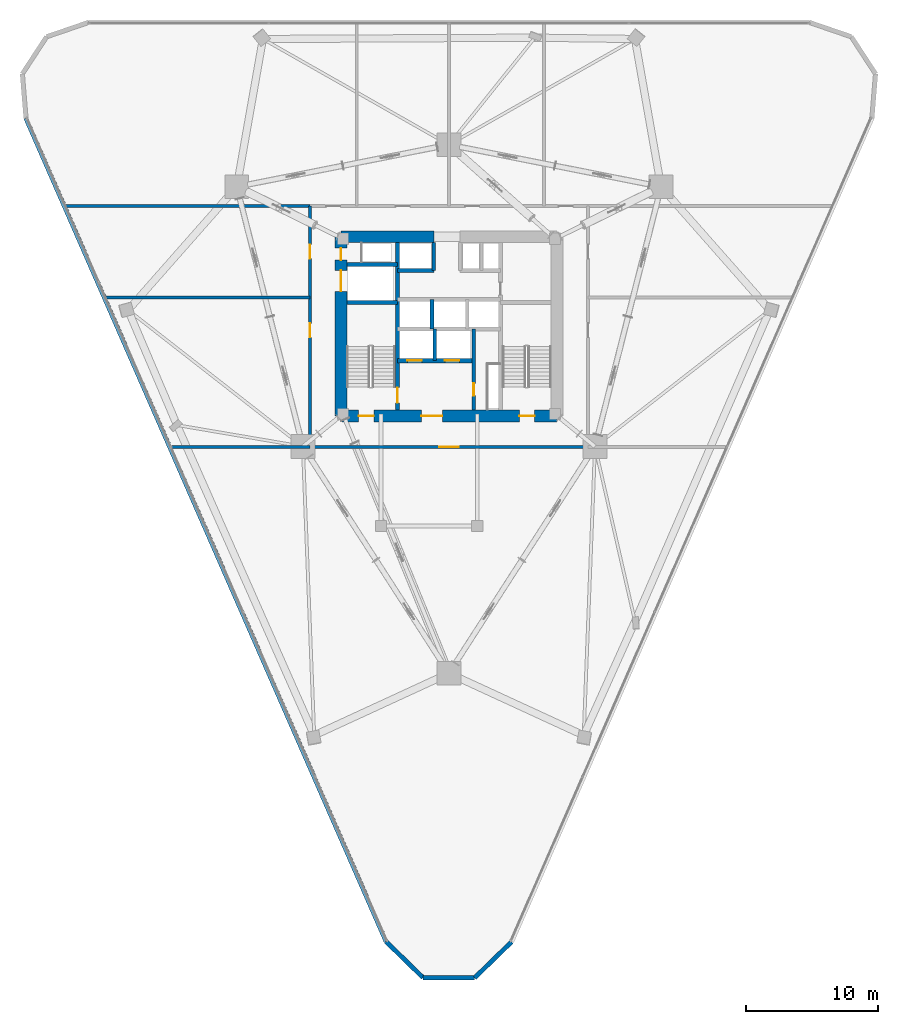
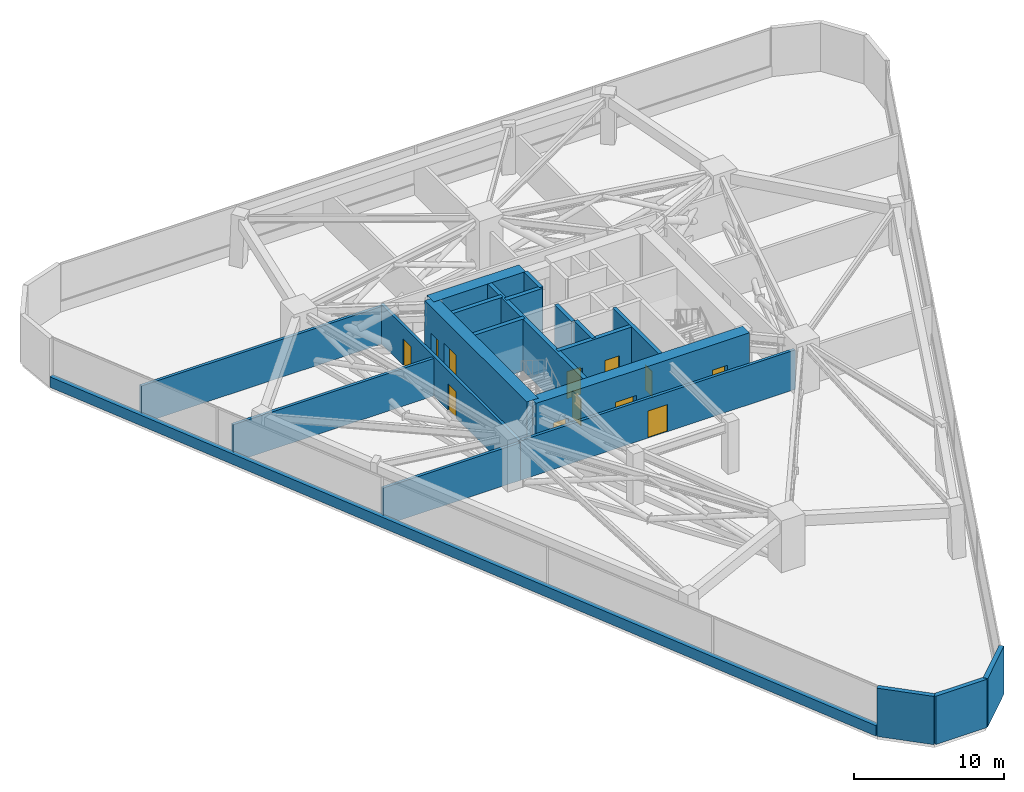
# One storey, part 17 of 20: 21 walls, 12 doors, 12 openings.
"""IFC4 building model written with IfcOpenShell, lengths in metres."""

from ifc_helpers import new_model, si_unit, direction, frame, frame_2d, origin, place, context, subcontext, project, spatial, rectangle, extrude, material, layer, layer_set, type_object, element, fill, save


model = new_model("IFC4")

# Units and contexts
model_context = context("Model", 3, precision=1e-05, world=origin(), true_north=direction((0.0, 1.0)))
body_context = subcontext(model_context, "Body", "Model", "MODEL_VIEW")
ifc_project = project(units=[si_unit("LENGTHUNIT", "METRE"), si_unit("AREAUNIT", "SQUARE_METRE"), si_unit("VOLUMEUNIT", "CUBIC_METRE"), si_unit("PLANEANGLEUNIT", "RADIAN"), si_unit("MASSUNIT", "GRAM", prefix="KILO")], contexts=[model_context])

# Site, building, storey
site_placement = place(None, origin())
site = spatial("IfcSite", under=ifc_project, at=site_placement, CompositionType="ELEMENT")
building_placement = place(site_placement, origin())
building = spatial("IfcBuilding", under=site, at=building_placement, Name="Talyreon Biosciences Tower", CompositionType="ELEMENT")
storey_placement = place(building_placement, frame((0.0, 0.0, 70.800048828125)))
storey = spatial("IfcBuildingStorey", under=building, at=storey_placement, Name="L18", CompositionType="ELEMENT", Elevation=70.800048828125)

# Walls
ifc_material_1 = material(Name="Concrete C50/60", Category="concrete")
ifc_layer_1 = layer(ifc_material_1, 0.280029296875)
ifc_layer_set_1 = layer_set([ifc_layer_1], Name="Concrete C50/60")
wall_type_1 = type_object("IfcWallType", Name="CoreShearWall_280", PredefinedType="SHEAR", material=ifc_layer_set_1)
wall_1_placement = place(storey_placement, frame((64.919921875, 65.39990234375, 0.0), z_axis=(0.0, 0.0, 1.0), x_axis=(0.0, 1.0, 0.0)))
element("IfcWall", 1, at=wall_1_placement, inside=storey, type_object=wall_type_1, Name="L18 Core Shaft Wall SWSHD1", PredefinedType="SHEAR", context=body_context, shape_type="SweptSolid", body=[
    extrude(rectangle(XDim=2.400146484375, YDim=0.280029296875, at=frame_2d((1.2001953125, 0.0))), origin(), (0.0, 0.0, 1.0), 4.199951171875),
])
wall_2_placement = place(storey_placement, frame((64.85009765625, 72.25, 0.0), z_axis=(0.0, 0.0, 1.0), x_axis=(0.0, 1.0, 0.0)))
element("IfcWall", 2, at=wall_2_placement, inside=storey, type_object=wall_type_1, Name="L18 Core Shaft Wall SWTHW", PredefinedType="SHEAR", context=body_context, shape_type="SweptSolid", body=[
    extrude(rectangle(XDim=2.10009765625, YDim=0.280029296875, at=frame_2d((1.050048828125, 0.0))), origin(), (0.0, 0.0, 1.0), 4.199951171875),
])

# Wall, opening, door
wall_3_placement = place(storey_placement, frame((67.8798828125, 61.64990234375, 0.0), z_axis=(0.0, 0.0, 1.0), x_axis=(0.0, 1.0, 0.0)))
wall_3 = element("IfcWall", 3, at=wall_3_placement, inside=storey, type_object=wall_type_1, Name="L18 Core Shaft Wall SWFFE", PredefinedType="SHEAR", context=body_context, shape_type="SweptSolid", body=[
    extrude(rectangle(XDim=6.150146484375, YDim=0.280029296875, at=frame_2d((3.0751953125, 0.0))), origin(), (0.0, 0.0, 1.0), 4.199951171875),
])
opening_1_placement = place(wall_3_placement, frame((1.10009765625, 0.0, 0.0)))
opening_1 = element("IfcOpeningElement", 4, at=opening_1_placement, cuts=wall_3, Name="Opening DR-L18-RSE", PredefinedType="OPENING", context=body_context, shape_type="SweptSolid", body=[
    extrude(rectangle(XDim=0.919921875, YDim=2.050048828125, at=frame_2d((0.4599609375, 1.02490234375))), frame((0.0, 0.14990234375, 0.0), z_axis=(0.0, -1.0, 0.0), x_axis=(1.0, 0.0, 0.0)), (0.0, 0.0, 1.0), 0.300048828125),
])
ifc_material_2 = material(Name="Painted steel fire-rated riser door", Category="steel")
door_type_1 = type_object("IfcDoorType", Name="RiserPlantAccessDoor_920x2050", OperationType="NOTDEFINED", PredefinedType="DOOR", material=ifc_material_2)
door_1_placement = place(opening_1_placement, origin())
door_1 = element("IfcDoor", 5, at=door_1_placement, inside=storey, type_object=door_type_1, Name="L18 Core Door DR-L18-RSE", OperationType="SINGLE_SWING_RIGHT", OverallHeight=2.050048828125, OverallWidth=0.919921875, PredefinedType="DOOR", context=body_context, shape_type="SweptSolid", body=[
    extrude(rectangle(XDim=0.919921875, YDim=2.050048828125, at=frame_2d((0.4599609375, 1.02490234375))), frame((0.0, 0.02490234375, 0.0), z_axis=(0.0, -1.0, 0.0), x_axis=(1.0, 0.0, 0.0)), (0.0, 0.0, 1.0), 0.050048828125),
])
fill(opening_1, door_1)

# Wall
wall_4_placement = place(storey_placement, frame((64.719970703125, 67.800048828125, 0.0), z_axis=(0.0, 0.0, 1.0), x_axis=(0.0, 1.0, 0.0)))
element("IfcWall", 6, at=wall_4_placement, inside=storey, type_object=wall_type_1, Name="L18 Core Shaft Wall SWPLD", PredefinedType="SHEAR", context=body_context, shape_type="SweptSolid", body=[
    extrude(rectangle(XDim=2.25, YDim=0.280029296875, at=frame_2d((1.125, 0.0))), origin(), (0.0, 0.0, 1.0), 4.199951171875),
])

# Wall, opening, door
ifc_layer_2 = layer(ifc_material_1, 0.320068359375)
ifc_layer_set_2 = layer_set([ifc_layer_2], Name="Concrete C50/60")
wall_type_2 = type_object("IfcWallType", Name="CoreShearWall_320", PredefinedType="SHEAR", material=ifc_layer_set_2)
wall_5_placement = place(storey_placement, frame((62.090087890625, 61.64990234375, 0.0), z_axis=(0.0, 0.0, 1.0), x_axis=(0.0, 1.0, 0.0)))
wall_5 = element("IfcWall", 7, at=wall_5_placement, inside=storey, type_object=wall_type_2, Name="L18 Core Shaft Wall SW1E", PredefinedType="SHEAR", context=body_context, shape_type="SweptSolid", body=[
    extrude(rectangle(XDim=12.7001953125, YDim=0.320068359375, at=frame_2d((6.35009765625, 0.0))), origin(), (0.0, 0.0, 1.0), 4.199951171875),
])
opening_2_placement = place(wall_5_placement, frame((0.550048828125, 0.0, 0.0)))
opening_2 = element("IfcOpeningElement", 8, at=opening_2_placement, cuts=wall_5, Name="Opening DR-L18-FF-ST1", PredefinedType="OPENING", context=body_context, shape_type="SweptSolid", body=[
    extrude(rectangle(XDim=1.14990234375, YDim=2.14990234375, at=frame_2d((0.574951171875, 1.074951171875))), frame((0.0, 0.169921875, 0.0), z_axis=(0.0, -1.0, 0.0), x_axis=(1.0, 0.0, 0.0)), (0.0, 0.0, 1.0), 0.340087890625),
])
ifc_material_3 = material(Name="Painted steel fire door", Category="steel")
door_type_2 = type_object("IfcDoorType", Name="StairShaftFireDoor_1150x2150", OperationType="NOTDEFINED", PredefinedType="DOOR", material=ifc_material_3)
door_2_placement = place(opening_2_placement, origin())
door_2 = element("IfcDoor", 9, at=door_2_placement, inside=storey, type_object=door_type_2, Name="L18 Core Door DR-L18-FF-ST1", OperationType="SINGLE_SWING_LEFT", OverallHeight=2.14990234375, OverallWidth=1.14990234375, PredefinedType="DOOR", context=body_context, shape_type="SweptSolid", body=[
    extrude(rectangle(XDim=1.14990234375, YDim=2.14990234375, at=frame_2d((0.574951171875, 1.074951171875))), frame((0.0, 0.02490234375, 0.0), z_axis=(0.0, -1.0, 0.0), x_axis=(1.0, 0.0, 0.0)), (0.0, 0.0, 1.0), 0.050048828125),
])
fill(opening_2, door_2)

# Walls
for number, where, z_axis, x_axis, name in (
    (10, (58.25, 69.81005859375, 0.0), (0.0, 0.0, 1.0), (1.0, 0.0, 0.0), "L18 Core Shaft Wall SW1N"),
    (11, (58.25, 72.699951171875, 0.0), (0.0, 0.0, 1.0), (1.0, 0.0, 0.0), "L18 Core Shaft Wall SWGLN"),
):
    element("IfcWall", number, at=place(storey_placement, frame(where, z_axis=z_axis, x_axis=x_axis)), inside=storey, type_object=wall_type_2, Name=name, PredefinedType="SHEAR", context=body_context, shape_type="SweptSolid", body=[
        extrude(rectangle(XDim=3.840087890625, YDim=0.320068359375, at=frame_2d((1.919921875, 0.0))), origin(), (0.0, 0.0, 1.0), 4.199951171875),
    ])
wall_6_placement = place(storey_placement, frame((62.090087890625, 72.25, 0.0), z_axis=(0.0, 0.0, 1.0), x_axis=(1.0, 0.0, 0.0)))
element("IfcWall", 12, at=wall_6_placement, inside=storey, type_object=wall_type_2, Name="L18 Core Shaft Wall SWNPW", PredefinedType="SHEAR", context=body_context, shape_type="SweptSolid", body=[
    extrude(rectangle(XDim=2.760009765625, YDim=0.320068359375, at=frame_2d((1.3798828125, 0.0))), origin(), (0.0, 0.0, 1.0), 4.199951171875),
])

# Wall, openings, doors
wall_7_placement = place(storey_placement, frame((62.090087890625, 65.39990234375, 0.0), z_axis=(0.0, 0.0, 1.0), x_axis=(1.0, 0.0, 0.0)))
wall_7 = element("IfcWall", 13, at=wall_7_placement, inside=storey, type_object=wall_type_2, Name="L18 Core Shaft Wall SWFFN", PredefinedType="SHEAR", context=body_context, shape_type="SweptSolid", body=[
    extrude(rectangle(XDim=5.789794921875, YDim=0.320068359375, at=frame_2d((2.89501953125, 0.0))), origin(), (0.0, 0.0, 1.0), 4.199951171875),
])
opening_3_placement = place(wall_7_placement, frame((0.75, 0.0, 0.0)))
opening_3 = element("IfcOpeningElement", 14, at=opening_3_placement, cuts=wall_7, Name="Opening LD-L18-FL1", PredefinedType="OPENING", context=body_context, shape_type="SweptSolid", body=[
    extrude(rectangle(XDim=1.10009765625, YDim=2.199951171875, at=frame_2d((0.550048828125, 1.10009765625))), frame((0.0, 0.169921875, 0.0), z_axis=(0.0, -1.0, 0.0), x_axis=(1.0, 0.0, 0.0)), (0.0, 0.0, 1.0), 0.340087890625),
])
opening_4_placement = place(wall_7_placement, frame((3.60009765625, 0.0, 0.0)))
opening_4 = element("IfcOpeningElement", 15, at=opening_4_placement, cuts=wall_7, Name="Opening LD-L18-FL2", PredefinedType="OPENING", context=body_context, shape_type="SweptSolid", body=[
    extrude(rectangle(XDim=1.10009765625, YDim=2.199951171875, at=frame_2d((0.550048828125, 1.10009765625))), frame((0.0, 0.169921875, 0.0), z_axis=(0.0, -1.0, 0.0), x_axis=(1.0, 0.0, 0.0)), (0.0, 0.0, 1.0), 0.340087890625),
])
ifc_material_4 = material(Name="Brushed stainless-steel lift landing door", Category="steel")
door_type_3 = type_object("IfcDoorType", Name="LiftSlidingLandingDoor_1100x2200", OperationType="SLIDING_TO_LEFT", PredefinedType="DOOR", material=ifc_material_4)
door_3_placement = place(opening_3_placement, origin())
door_3 = element("IfcDoor", 16, at=door_3_placement, inside=storey, type_object=door_type_3, Name="L18 Core Door LD-L18-FL1", OperationType="SLIDING_TO_LEFT", OverallHeight=2.199951171875, OverallWidth=1.10009765625, PredefinedType="DOOR", context=body_context, shape_type="SweptSolid", body=[
    extrude(rectangle(XDim=1.10009765625, YDim=2.199951171875, at=frame_2d((0.550048828125, 1.10009765625))), frame((0.0, 0.02490234375, 0.0), z_axis=(0.0, -1.0, 0.0), x_axis=(1.0, 0.0, 0.0)), (0.0, 0.0, 1.0), 0.050048828125),
])
fill(opening_3, door_3)
door_4_placement = place(opening_4_placement, origin())
door_4 = element("IfcDoor", 17, at=door_4_placement, inside=storey, type_object=door_type_3, Name="L18 Core Door LD-L18-FL2", OperationType="SLIDING_TO_LEFT", OverallHeight=2.199951171875, OverallWidth=1.10009765625, PredefinedType="DOOR", context=body_context, shape_type="SweptSolid", body=[
    extrude(rectangle(XDim=1.10009765625, YDim=2.199951171875, at=frame_2d((0.550048828125, 1.10009765625))), frame((0.0, 0.02490234375, 0.0), z_axis=(0.0, -1.0, 0.0), x_axis=(1.0, 0.0, 0.0)), (0.0, 0.0, 1.0), 0.050048828125),
])
fill(opening_4, door_4)

ifc_material_5 = material(Name="Concrete C60/75", Category="concrete")
ifc_layer_3 = layer(ifc_material_5, 0.89990234375)
ifc_layer_set_3 = layer_set([ifc_layer_3], Name="Concrete C60/75")
wall_type_3 = type_object("IfcWallType", Name="CoreShearWall_900", PredefinedType="SHEAR", material=ifc_layer_set_3)
wall_8_placement = place(storey_placement, frame((57.800048828125, 61.199951171875, 0.0), z_axis=(0.0, 0.0, 1.0), x_axis=(1.0, 0.0, 0.0)))
wall_8 = element("IfcWall", 18, at=wall_8_placement, inside=storey, type_object=wall_type_3, Name="L18 Core Shear Wall S", PredefinedType="SHEAR", context=body_context, shape_type="SweptSolid", body=[
    extrude(rectangle(XDim=16.39990234375, YDim=0.89990234375, at=frame_2d((8.199951171875, 0.0))), origin(), (0.0, 0.0, 1.0), 4.199951171875),
])
opening_5_placement = place(wall_8_placement, frame((1.35009765625, 0.0, 0.0)))
opening_5 = element("IfcOpeningElement", 19, at=opening_5_placement, cuts=wall_8, Name="Opening DR-L18-ST1", PredefinedType="OPENING", context=body_context, shape_type="SweptSolid", body=[
    extrude(rectangle(XDim=1.14990234375, YDim=2.14990234375, at=frame_2d((0.574951171875, 1.074951171875))), frame((0.0, 0.4599609375, 0.0), z_axis=(0.0, -1.0, 0.0), x_axis=(1.0, 0.0, 0.0)), (0.0, 0.0, 1.0), 0.919921875),
])
opening_6_placement = place(wall_8_placement, frame((6.10009765625, 0.0, 0.0)))
opening_6 = element("IfcOpeningElement", 20, at=opening_6_placement, cuts=wall_8, Name="Opening DR-L18-FFL", PredefinedType="OPENING", context=body_context, shape_type="SweptSolid", body=[
    extrude(rectangle(XDim=1.60009765625, YDim=2.14990234375, at=frame_2d((0.800048828125, 1.074951171875))), frame((0.0, 0.4599609375, 0.0), z_axis=(0.0, -1.0, 0.0), x_axis=(1.0, 0.0, 0.0)), (0.0, 0.0, 1.0), 0.919921875),
])
opening_7_placement = place(wall_8_placement, frame((13.550048828125, 0.0, 0.0)))
opening_7 = element("IfcOpeningElement", 21, at=opening_7_placement, cuts=wall_8, Name="Opening DR-L18-ST2", PredefinedType="OPENING", context=body_context, shape_type="SweptSolid", body=[
    extrude(rectangle(XDim=1.14990234375, YDim=2.14990234375, at=frame_2d((0.574951171875, 1.074951171875))), frame((0.0, 0.4599609375, 0.0), z_axis=(0.0, -1.0, 0.0), x_axis=(1.0, 0.0, 0.0)), (0.0, 0.0, 1.0), 0.919921875),
])
ifc_material_6 = material(Name="Painted steel smoke-seal fire door", Category="steel")
door_type_4 = type_object("IfcDoorType", Name="FirefightingLobbyDoubleDoor_1600x2150", OperationType="DOUBLE_DOOR_SINGLE_SWING", PredefinedType="DOOR", material=ifc_material_6)
door_5_placement = place(opening_6_placement, origin())
door_5 = element("IfcDoor", 22, at=door_5_placement, inside=storey, type_object=door_type_4, Name="L18 Core Door DR-L18-FFL", OperationType="DOUBLE_DOOR_SINGLE_SWING", OverallHeight=2.14990234375, OverallWidth=1.60009765625, PredefinedType="DOOR", context=body_context, shape_type="SweptSolid", body=[
    extrude(rectangle(XDim=1.60009765625, YDim=2.14990234375, at=frame_2d((0.800048828125, 1.074951171875))), frame((0.0, 0.02490234375, 0.0), z_axis=(0.0, -1.0, 0.0), x_axis=(1.0, 0.0, 0.0)), (0.0, 0.0, 1.0), 0.050048828125),
])
fill(opening_6, door_5)
door_6_placement = place(opening_5_placement, origin())
door_6 = element("IfcDoor", 23, at=door_6_placement, inside=storey, type_object=door_type_2, Name="L18 Core Door DR-L18-ST1", OperationType="SINGLE_SWING_LEFT", OverallHeight=2.14990234375, OverallWidth=1.14990234375, PredefinedType="DOOR", context=body_context, shape_type="SweptSolid", body=[
    extrude(rectangle(XDim=1.14990234375, YDim=2.14990234375, at=frame_2d((0.574951171875, 1.074951171875))), frame((0.0, 0.02490234375, 0.0), z_axis=(0.0, -1.0, 0.0), x_axis=(1.0, 0.0, 0.0)), (0.0, 0.0, 1.0), 0.050048828125),
])
fill(opening_5, door_6)
door_7_placement = place(opening_7_placement, origin())
door_7 = element("IfcDoor", 24, at=door_7_placement, inside=storey, type_object=door_type_2, Name="L18 Core Door DR-L18-ST2", OperationType="SINGLE_SWING_RIGHT", OverallHeight=2.14990234375, OverallWidth=1.14990234375, PredefinedType="DOOR", context=body_context, shape_type="SweptSolid", body=[
    extrude(rectangle(XDim=1.14990234375, YDim=2.14990234375, at=frame_2d((0.574951171875, 1.074951171875))), frame((0.0, 0.02490234375, 0.0), z_axis=(0.0, -1.0, 0.0), x_axis=(1.0, 0.0, 0.0)), (0.0, 0.0, 1.0), 0.050048828125),
])
fill(opening_7, door_7)

# Wall
wall_9_placement = place(storey_placement, frame((64.85009765625, 74.800048828125, 0.0), z_axis=(0.0, 0.0, 1.0), x_axis=(-1.0, 0.0, 0.0)))
element("IfcWall", 25, at=wall_9_placement, inside=storey, type_object=wall_type_3, Name="L18 Core Shear Wall NW", PredefinedType="SHEAR", context=body_context, shape_type="SweptSolid", body=[
    extrude(rectangle(XDim=7.050048828125, YDim=0.89990234375, at=frame_2d((3.52490234375, 0.0))), origin(), (0.0, 0.0, 1.0), 4.199951171875),
])

# Wall, openings, doors
wall_10_placement = place(storey_placement, frame((57.800048828125, 74.800048828125, 0.0), z_axis=(0.0, 0.0, 1.0), x_axis=(0.0, -1.0, 0.0)))
wall_10 = element("IfcWall", 26, at=wall_10_placement, inside=storey, type_object=wall_type_3, Name="L18 Core Shear Wall W", PredefinedType="SHEAR", context=body_context, shape_type="SweptSolid", body=[
    extrude(rectangle(XDim=13.60009765625, YDim=0.89990234375, at=frame_2d((6.800048828125, 0.0))), origin(), (0.0, 0.0, 1.0), 4.199951171875),
])
opening_8_placement = place(wall_10_placement, frame((0.85009765625, 0.0, 0.0)))
opening_8 = element("IfcOpeningElement", 27, at=opening_8_placement, cuts=wall_10, Name="Opening DR-L18-RSW", PredefinedType="OPENING", context=body_context, shape_type="SweptSolid", body=[
    extrude(rectangle(XDim=0.919921875, YDim=2.050048828125, at=frame_2d((0.4599609375, 1.02490234375))), frame((0.0, 0.4599609375, 0.0), z_axis=(0.0, -1.0, 0.0), x_axis=(1.0, 0.0, 0.0)), (0.0, 0.0, 1.0), 0.919921875),
])
opening_9_placement = place(wall_10_placement, frame((2.550048828125, 0.0, 0.0)))
opening_9 = element("IfcOpeningElement", 28, at=opening_9_placement, cuts=wall_10, Name="Opening LD-L18-GL1", PredefinedType="OPENING", context=body_context, shape_type="SweptSolid", body=[
    extrude(rectangle(XDim=1.60009765625, YDim=2.300048828125, at=frame_2d((0.800048828125, 1.14990234375))), frame((0.0, 0.4599609375, 0.0), z_axis=(0.0, -1.0, 0.0), x_axis=(1.0, 0.0, 0.0)), (0.0, 0.0, 1.0), 0.919921875),
])
ifc_material_7 = material(Name="Heavy-duty stainless-steel goods lift door", Category="steel")
door_type_5 = type_object("IfcDoorType", Name="GoodsLiftSlidingDoor_1600x2300", OperationType="DOUBLE_DOOR_SLIDING", PredefinedType="DOOR", material=ifc_material_7)
door_8_placement = place(opening_9_placement, origin())
door_8 = element("IfcDoor", 29, at=door_8_placement, inside=storey, type_object=door_type_5, Name="L18 Core Door LD-L18-GL1", OperationType="DOUBLE_DOOR_SLIDING", OverallHeight=2.300048828125, OverallWidth=1.60009765625, PredefinedType="DOOR", context=body_context, shape_type="SweptSolid", body=[
    extrude(rectangle(XDim=1.60009765625, YDim=2.300048828125, at=frame_2d((0.800048828125, 1.14990234375))), frame((0.0, 0.02490234375, 0.0), z_axis=(0.0, -1.0, 0.0), x_axis=(1.0, 0.0, 0.0)), (0.0, 0.0, 1.0), 0.050048828125),
])
fill(opening_9, door_8)
door_9_placement = place(opening_8_placement, origin())
door_9 = element("IfcDoor", 30, at=door_9_placement, inside=storey, type_object=door_type_1, Name="L18 Core Door DR-L18-RSW", OperationType="SINGLE_SWING_LEFT", OverallHeight=2.050048828125, OverallWidth=0.919921875, PredefinedType="DOOR", context=body_context, shape_type="SweptSolid", body=[
    extrude(rectangle(XDim=0.919921875, YDim=2.050048828125, at=frame_2d((0.4599609375, 1.02490234375))), frame((0.0, 0.02490234375, 0.0), z_axis=(0.0, -1.0, 0.0), x_axis=(1.0, 0.0, 0.0)), (0.0, 0.0, 1.0), 0.050048828125),
])
fill(opening_8, door_9)

# Walls
ifc_material_8 = material(Name="Gypsum fireboard acoustic stud", Category="gypsum")
ifc_layer_4 = layer(ifc_material_8, 0.219970703125)
ifc_layer_set_4 = layer_set([ifc_layer_4], Name="Gypsum fireboard acoustic stud")
wall_type_4 = type_object("IfcWallType", Name="CorridorRatedPartition_220", PredefinedType="PARTITIONING", material=ifc_layer_set_4)
wall_11_placement = place(storey_placement, frame((36.889404296875, 77.14990234375, 0.0), z_axis=(0.0, 0.0, 1.0), x_axis=(1.0, 0.0, 0.0)))
element("IfcWall", 31, at=wall_11_placement, inside=storey, type_object=wall_type_4, Name="L18 Interior Wall IW-L18-NDIV-NW", PredefinedType="PARTITIONING", context=body_context, shape_type="SweptSolid", body=[
    extrude(rectangle(XDim=18.560546875, YDim=0.219970703125, at=frame_2d((9.2802734375, 0.0))), origin(), (0.0, 0.0, 1.0), 3.054931640625),
])
wall_12_placement = place(storey_placement, frame((39.93017578125, 70.199951171875, 0.0), z_axis=(0.0, 0.0, 1.0), x_axis=(1.0, 0.0, 0.0)))
element("IfcWall", 32, at=wall_12_placement, inside=storey, type_object=wall_type_4, Name="L18 Interior Wall IW-L18-WD1", PredefinedType="PARTITIONING", context=body_context, shape_type="SweptSolid", body=[
    extrude(rectangle(XDim=15.519775390625, YDim=0.219970703125, at=frame_2d((7.759765625, 0.0))), origin(), (0.0, 0.0, 1.0), 3.054931640625),
])
wall_13_placement = place(storey_placement, frame((44.89599609375, 58.85009765625, 0.0), z_axis=(0.0, 0.0, 1.0), x_axis=(1.0, 0.0, 0.0)))
element("IfcWall", 33, at=wall_13_placement, inside=storey, type_object=wall_type_4, Name="L18 Interior Wall IW-L18-PDIV-SW", PredefinedType="PARTITIONING", context=body_context, shape_type="SweptSolid", body=[
    extrude(rectangle(XDim=10.553955078125, YDim=0.219970703125, at=frame_2d((5.27685546875, 0.0))), origin(), (0.0, 0.0, 1.0), 3.054931640625),
])

# Wall, opening, door
wall_14_placement = place(storey_placement, frame((55.449951171875, 58.85009765625, 0.0), z_axis=(0.0, 0.0, 1.0), x_axis=(1.0, 0.0, 0.0)))
wall_14 = element("IfcWall", 34, at=wall_14_placement, inside=storey, type_object=wall_type_4, Name="L18 Interior Wall IW-L18-PC-S", PredefinedType="PARTITIONING", context=body_context, shape_type="SweptSolid", body=[
    extrude(rectangle(XDim=21.10009765625, YDim=0.219970703125, at=frame_2d((10.550048828125, 0.0))), origin(), (0.0, 0.0, 1.0), 3.204833984375),
])
opening_10_placement = place(wall_14_placement, frame((9.800048828125, 0.0, 0.0)))
opening_10 = element("IfcOpeningElement", 35, at=opening_10_placement, cuts=wall_14, Name="Opening DR-L18-PL-S", PredefinedType="OPENING", context=body_context, shape_type="SweptSolid", body=[
    extrude(rectangle(XDim=1.5, YDim=2.199951171875, at=frame_2d((0.75, 1.10009765625))), frame((0.0, 0.119873046875, 0.0), z_axis=(0.0, -1.0, 0.0), x_axis=(1.0, 0.0, 0.0)), (0.0, 0.0, 1.0), 0.239990234375),
])
ifc_material_9 = material(Name="Vision-panel steel laboratory fire door", Category="steel")
door_type_6 = type_object("IfcDoorType", Name="WetLabDoubleLeafDoor_1500x2200", OperationType="DOUBLE_DOOR_SINGLE_SWING", PredefinedType="DOOR", material=ifc_material_9)
door_10_placement = place(opening_10_placement, origin())
door_10 = element("IfcDoor", 36, at=door_10_placement, inside=storey, type_object=door_type_6, Name="L18 Interior Door DR-L18-PL-S", OperationType="DOUBLE_DOOR_SINGLE_SWING", OverallHeight=2.199951171875, OverallWidth=1.5, PredefinedType="DOOR", context=body_context, shape_type="SweptSolid", body=[
    extrude(rectangle(XDim=1.5, YDim=2.199951171875, at=frame_2d((0.75, 1.10009765625))), frame((0.0, 0.02490234375, 0.0), z_axis=(0.0, -1.0, 0.0), x_axis=(1.0, 0.0, 0.0)), (0.0, 0.0, 1.0), 0.050048828125),
])
fill(opening_10, door_10)

# Wall, openings, doors
wall_15_placement = place(storey_placement, frame((55.449951171875, 58.85009765625, 0.0), z_axis=(0.0, 0.0, 1.0), x_axis=(0.0, 1.0, 0.0)))
wall_15 = element("IfcWall", 37, at=wall_15_placement, inside=storey, type_object=wall_type_4, Name="L18 Interior Wall IW-L18-PC-W", PredefinedType="PARTITIONING", context=body_context, shape_type="SweptSolid", body=[
    extrude(rectangle(XDim=18.2998046875, YDim=0.219970703125, at=frame_2d((9.14990234375, 0.0))), origin(), (0.0, 0.0, 1.0), 3.204833984375),
])
opening_11_placement = place(wall_15_placement, frame((8.321044921875, 0.0, 0.0)))
opening_11 = element("IfcOpeningElement", 38, at=opening_11_placement, cuts=wall_15, Name="Opening DR-L18-PL-WB", PredefinedType="OPENING", context=body_context, shape_type="SweptSolid", body=[
    extrude(rectangle(XDim=1.050048828125, YDim=2.14990234375, at=frame_2d((0.52490234375, 1.074951171875))), frame((0.0, 0.119873046875, 0.0), z_axis=(0.0, -1.0, 0.0), x_axis=(1.0, 0.0, 0.0)), (0.0, 0.0, 1.0), 0.239990234375),
])
opening_12_placement = place(wall_15_placement, frame((14.300048828125, 0.0, 0.0)))
opening_12 = element("IfcOpeningElement", 39, at=opening_12_placement, cuts=wall_15, Name="Opening DR-L18-PL-WA", PredefinedType="OPENING", context=body_context, shape_type="SweptSolid", body=[
    extrude(rectangle(XDim=1.050048828125, YDim=2.14990234375, at=frame_2d((0.52490234375, 1.074951171875))), frame((0.0, 0.119873046875, 0.0), z_axis=(0.0, -1.0, 0.0), x_axis=(1.0, 0.0, 0.0)), (0.0, 0.0, 1.0), 0.239990234375),
])
ifc_material_10 = material(Name="Acoustic timber-core laboratory door", Category="wood")
door_type_7 = type_object("IfcDoorType", Name="DryLabSingleDoor_1050x2150", OperationType="NOTDEFINED", PredefinedType="DOOR", material=ifc_material_10)
door_11_placement = place(opening_11_placement, origin())
door_11 = element("IfcDoor", 40, at=door_11_placement, inside=storey, type_object=door_type_7, Name="L18 Interior Door DR-L18-PL-WB", OperationType="SINGLE_SWING_LEFT", OverallHeight=2.14990234375, OverallWidth=1.050048828125, PredefinedType="DOOR", context=body_context, shape_type="SweptSolid", body=[
    extrude(rectangle(XDim=1.050048828125, YDim=2.14990234375, at=frame_2d((0.52490234375, 1.074951171875))), frame((0.0, 0.02490234375, 0.0), z_axis=(0.0, -1.0, 0.0), x_axis=(1.0, 0.0, 0.0)), (0.0, 0.0, 1.0), 0.050048828125),
])
fill(opening_11, door_11)
door_12_placement = place(opening_12_placement, origin())
door_12 = element("IfcDoor", 41, at=door_12_placement, inside=storey, type_object=door_type_7, Name="L18 Interior Door DR-L18-PL-WA", OperationType="SINGLE_SWING_LEFT", OverallHeight=2.14990234375, OverallWidth=1.050048828125, PredefinedType="DOOR", context=body_context, shape_type="SweptSolid", body=[
    extrude(rectangle(XDim=1.050048828125, YDim=2.14990234375, at=frame_2d((0.52490234375, 1.074951171875))), frame((0.0, 0.02490234375, 0.0), z_axis=(0.0, -1.0, 0.0), x_axis=(1.0, 0.0, 0.0)), (0.0, 0.0, 1.0), 0.050048828125),
])
fill(opening_12, door_12)

# Walls
ifc_material_11 = material(Name="Precast concrete C45/55", Category="concrete")
ifc_layer_5 = layer(ifc_material_11, 0.340087890625)
ifc_layer_set_5 = layer_set([ifc_layer_5], Name="Precast concrete C45/55")
wall_type_5 = type_object("IfcWallType", Name="PrecastConcreteSpandrelWall_340", PredefinedType="STANDARD", material=ifc_layer_set_5)
wall_16_placement = place(storey_placement, frame((61.236083984375, 21.290771484375, 0.0), z_axis=(0.0, 0.0, 1.0), x_axis=(-0.400832536075, 0.916151340131, 0.0)))
element("IfcWall", 42, at=wall_16_placement, inside=storey, type_object=wall_type_5, Name="L18 Expressed Concrete Sill Wall 00", PredefinedType="STANDARD", context=body_context, shape_type="SweptSolid", body=[
    extrude(rectangle(XDim=68.233154296875, YDim=0.340087890625, at=frame_2d((34.11669921875, 0.0))), origin(), (0.0, 0.0, 1.0), 0.849853515625),
])
wall_17_placement = place(storey_placement, frame((70.763916015625, 21.290771484375, 0.0), z_axis=(0.0, 0.0, 1.0), x_axis=(-0.716333433886, -0.69775813252, 0.0)))
element("IfcWall", 43, at=wall_17_placement, inside=storey, type_object=wall_type_5, Name="L18 Rounded-Corner Concrete Pier 09", PredefinedType="STANDARD", context=body_context, shape_type="SweptSolid", body=[
    extrude(rectangle(XDim=3.916748046875, YDim=0.340087890625, at=frame_2d((1.95849609375, 0.0))), origin(), (0.0, 0.0, 1.0), 3.925048828125),
])
wall_18_placement = place(storey_placement, frame((67.958251953125, 18.557861328125, 0.0), z_axis=(0.0, 0.0, 1.0), x_axis=(-1.0, 0.0, 0.0)))
element("IfcWall", 44, at=wall_18_placement, inside=storey, type_object=wall_type_5, Name="L18 Rounded-Corner Concrete Pier 10", PredefinedType="STANDARD", context=body_context, shape_type="SweptSolid", body=[
    extrude(rectangle(XDim=3.91650390625, YDim=0.340087890625, at=frame_2d((1.958251953125, 0.0))), origin(), (0.0, 0.0, 1.0), 3.925048828125),
])
wall_19_placement = place(storey_placement, frame((64.041748046875, 18.557861328125, 0.0), z_axis=(0.0, 0.0, 1.0), x_axis=(-0.716333433886, 0.69775813252, 0.0)))
element("IfcWall", 45, at=wall_19_placement, inside=storey, type_object=wall_type_5, Name="L18 Rounded-Corner Concrete Pier 11", PredefinedType="STANDARD", context=body_context, shape_type="SweptSolid", body=[
    extrude(rectangle(XDim=3.916748046875, YDim=0.340087890625, at=frame_2d((1.95849609375, 0.0))), origin(), (0.0, 0.0, 1.0), 3.925048828125),
])

save(model, "model.ifc")
